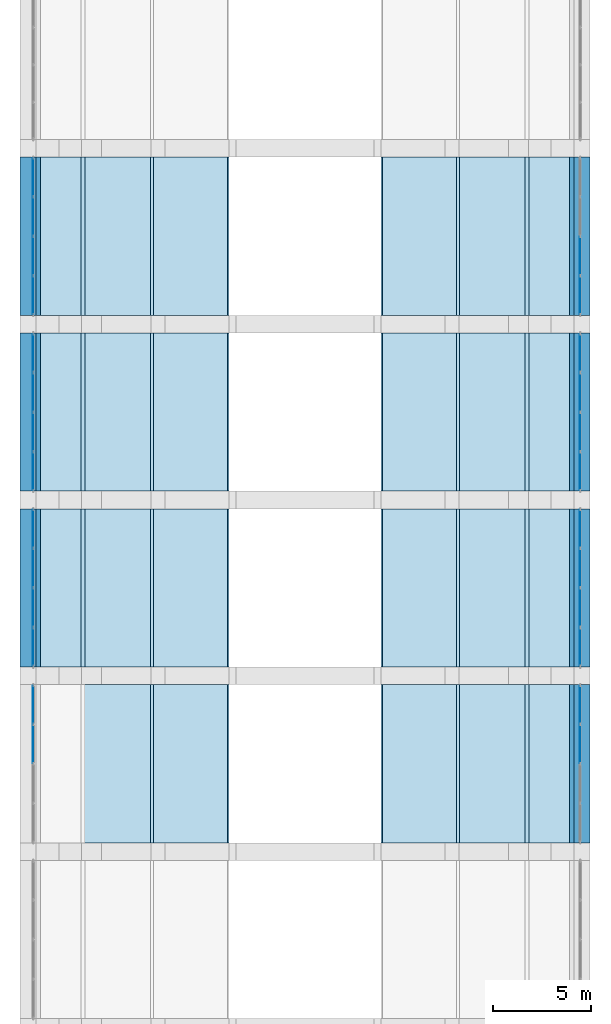
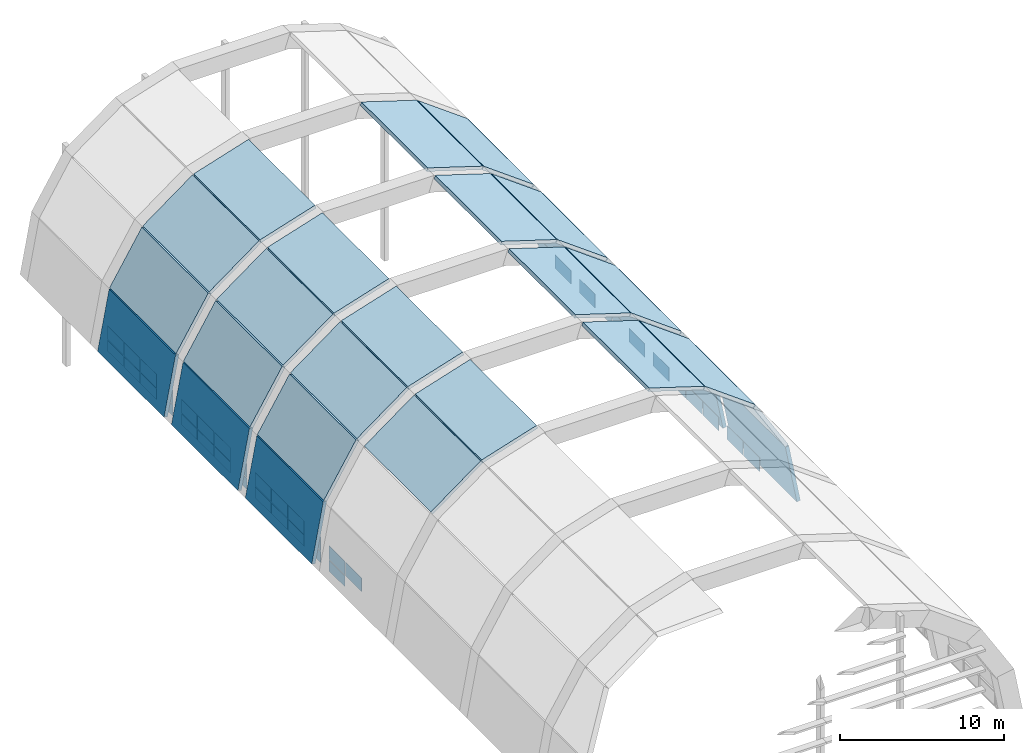
# One storey, part 7 of 8: 39 plates, 30 slabs, 8 elements without a shape of their own.
"""IFC4 building model written with IfcOpenShell, lengths in metres."""

from ifc_helpers import new_model, si_unit, direction, frame, origin, origin_2d, place, context, subcontext, project, spatial, polyline, rectangle, outline, extrude, material, layer, layer_set, type_object, element, aggregate, save


model = new_model("IFC4")

# Units and contexts
model_context = context("Model", 3, precision=1e-05, world=origin(), true_north=direction((0.0, 1.0)))
body_context = subcontext(model_context, "Body", "Model", "MODEL_VIEW")
ifc_project = project(units=[si_unit("LENGTHUNIT", "METRE"), si_unit("AREAUNIT", "SQUARE_METRE"), si_unit("VOLUMEUNIT", "CUBIC_METRE"), si_unit("PLANEANGLEUNIT", "RADIAN"), si_unit("MASSUNIT", "GRAM", prefix="KILO")], contexts=[model_context])

# Site, building, storey
site_placement = place(None, origin())
site = spatial("IfcSite", under=ifc_project, at=site_placement, CompositionType="ELEMENT")
building_placement = place(site_placement, origin())
building = spatial("IfcBuilding", under=site, at=building_placement, Name="Elmora Arch Market Hall", CompositionType="ELEMENT")
storey_placement = place(building_placement, frame((0.0, 0.0, 18.60009765625)))
storey = spatial("IfcBuildingStorey", under=building, at=storey_placement, Name="Roof", CompositionType="ELEMENT", Elevation=18.60009765625)

# Curtain wall, plates
ifc_material_1 = material(Name="Aluminium", Category="aluminium")
curtain_wall_type = type_object("IfcCurtainWallType", Name="Clerestory curtain wall", PredefinedType="NOTDEFINED", material=ifc_material_1)
curtain_wall_1_placement = place(storey_placement, origin())
curtain_wall_1 = element("IfcCurtainWall", 1, at=curtain_wall_1_placement, inside=storey, type_object=curtain_wall_type, Name="Hall clerestory W 4", PredefinedType="NOTDEFINED")
ifc_material_2 = material(Name="Glass", Category="glass")
ifc_layer_1 = layer(ifc_material_2, 0.02392578125)
ifc_layer_set_1 = layer_set([ifc_layer_1], Name="Glass")
plate_type = type_object("IfcPlateType", Name="Glass panel 24", PredefinedType="CURTAIN_PANEL", material=ifc_layer_set_1)
plate_1_placement = place(storey_placement, frame((15.080078125, 59.512451171875, 0.9296875), z_axis=(0.0, 0.0, 1.0), x_axis=(0.0, 1.0, 0.0)))
plate_1 = element("IfcPlate", 2, at=plate_1_placement, type_object=plate_type, Name="CW4 panel 3.2", PredefinedType="CURTAIN_PANEL", context=body_context, shape_type="SweptSolid", body=[
    extrude(rectangle(XDim=1.965087890625, YDim=0.02392578125, at=origin_2d()), origin(), (0.0, 0.0, 1.0), 1.009033203125),
])
plate_2_placement = place(storey_placement, frame((15.080078125, 61.5224609375, 0.059814453125), z_axis=(0.0, 0.0, 1.0), x_axis=(0.0, 1.0, 0.0)))
plate_2 = element("IfcPlate", 3, at=plate_2_placement, type_object=plate_type, Name="CW4 panel 4.1", PredefinedType="CURTAIN_PANEL", context=body_context, shape_type="SweptSolid", body=[
    extrude(rectangle(XDim=1.93505859375, YDim=0.02392578125, at=origin_2d()), origin(), (0.0, 0.0, 1.0), 0.81005859375),
])
plate_3_placement = place(storey_placement, frame((15.080078125, 61.5224609375, 0.9296875), z_axis=(0.0, 0.0, 1.0), x_axis=(0.0, 1.0, 0.0)))
plate_3 = element("IfcPlate", 4, at=plate_3_placement, type_object=plate_type, Name="CW4 panel 4.2", PredefinedType="CURTAIN_PANEL", context=body_context, shape_type="SweptSolid", body=[
    extrude(rectangle(XDim=1.93505859375, YDim=0.02392578125, at=origin_2d()), origin(), (0.0, 0.0, 1.0), 1.009033203125),
])
aggregate(curtain_wall_1, [plate_1, plate_2, plate_3])

curtain_wall_2_placement = place(storey_placement, origin())
curtain_wall_2 = element("IfcCurtainWall", 5, at=curtain_wall_2_placement, inside=storey, type_object=curtain_wall_type, Name="Hall clerestory W 5", PredefinedType="NOTDEFINED")
plate_4_placement = place(storey_placement, frame((15.080078125, 64.4775390625, 0.059814453125), z_axis=(0.0, 0.0, 1.0), x_axis=(0.0, 1.0, 0.0)))
plate_4 = element("IfcPlate", 6, at=plate_4_placement, type_object=plate_type, Name="CW4 panel 1.1", PredefinedType="CURTAIN_PANEL", context=body_context, shape_type="SweptSolid", body=[
    extrude(rectangle(XDim=1.93505859375, YDim=0.02392578125, at=origin_2d()), origin(), (0.0, 0.0, 1.0), 0.81005859375),
])
plate_5_placement = place(storey_placement, frame((15.080078125, 64.4775390625, 0.9296875), z_axis=(0.0, 0.0, 1.0), x_axis=(0.0, 1.0, 0.0)))
plate_5 = element("IfcPlate", 7, at=plate_5_placement, type_object=plate_type, Name="CW4 panel 1.2", PredefinedType="CURTAIN_PANEL", context=body_context, shape_type="SweptSolid", body=[
    extrude(rectangle(XDim=1.93505859375, YDim=0.02392578125, at=origin_2d()), origin(), (0.0, 0.0, 1.0), 1.009033203125),
])
plate_6_placement = place(storey_placement, frame((15.080078125, 66.487548828125, 0.059814453125), z_axis=(0.0, 0.0, 1.0), x_axis=(0.0, 1.0, 0.0)))
plate_6 = element("IfcPlate", 8, at=plate_6_placement, type_object=plate_type, Name="CW4 panel 2.1", PredefinedType="CURTAIN_PANEL", context=body_context, shape_type="SweptSolid", body=[
    extrude(rectangle(XDim=1.965087890625, YDim=0.02392578125, at=origin_2d()), origin(), (0.0, 0.0, 1.0), 0.81005859375),
])
plate_7_placement = place(storey_placement, frame((15.080078125, 66.487548828125, 0.9296875), z_axis=(0.0, 0.0, 1.0), x_axis=(0.0, 1.0, 0.0)))
plate_7 = element("IfcPlate", 9, at=plate_7_placement, type_object=plate_type, Name="CW4 panel 2.2", PredefinedType="CURTAIN_PANEL", context=body_context, shape_type="SweptSolid", body=[
    extrude(rectangle(XDim=1.965087890625, YDim=0.02392578125, at=origin_2d()), origin(), (0.0, 0.0, 1.0), 1.009033203125),
])
plate_8_placement = place(storey_placement, frame((15.080078125, 68.512451171875, 0.059814453125), z_axis=(0.0, 0.0, 1.0), x_axis=(0.0, 1.0, 0.0)))
plate_8 = element("IfcPlate", 10, at=plate_8_placement, type_object=plate_type, Name="CW4 panel 3.1", PredefinedType="CURTAIN_PANEL", context=body_context, shape_type="SweptSolid", body=[
    extrude(rectangle(XDim=1.965087890625, YDim=0.02392578125, at=origin_2d()), origin(), (0.0, 0.0, 1.0), 0.81005859375),
])
plate_9_placement = place(storey_placement, frame((15.080078125, 68.512451171875, 0.9296875), z_axis=(0.0, 0.0, 1.0), x_axis=(0.0, 1.0, 0.0)))
plate_9 = element("IfcPlate", 11, at=plate_9_placement, type_object=plate_type, Name="CW4 panel 3.2", PredefinedType="CURTAIN_PANEL", context=body_context, shape_type="SweptSolid", body=[
    extrude(rectangle(XDim=1.965087890625, YDim=0.02392578125, at=origin_2d()), origin(), (0.0, 0.0, 1.0), 1.009033203125),
])
plate_10_placement = place(storey_placement, frame((15.080078125, 70.5224609375, 0.059814453125), z_axis=(0.0, 0.0, 1.0), x_axis=(0.0, 1.0, 0.0)))
plate_10 = element("IfcPlate", 12, at=plate_10_placement, type_object=plate_type, Name="CW4 panel 4.1", PredefinedType="CURTAIN_PANEL", context=body_context, shape_type="SweptSolid", body=[
    extrude(rectangle(XDim=1.93505859375, YDim=0.02392578125, at=origin_2d()), origin(), (0.0, 0.0, 1.0), 0.81005859375),
])
plate_11_placement = place(storey_placement, frame((15.080078125, 70.5224609375, 0.9296875), z_axis=(0.0, 0.0, 1.0), x_axis=(0.0, 1.0, 0.0)))
plate_11 = element("IfcPlate", 13, at=plate_11_placement, type_object=plate_type, Name="CW4 panel 4.2", PredefinedType="CURTAIN_PANEL", context=body_context, shape_type="SweptSolid", body=[
    extrude(rectangle(XDim=1.93505859375, YDim=0.02392578125, at=origin_2d()), origin(), (0.0, 0.0, 1.0), 1.009033203125),
])
aggregate(curtain_wall_2, [plate_4, plate_5, plate_6, plate_7, plate_8, plate_9, plate_10, plate_11])

curtain_wall_3_placement = place(storey_placement, origin())
curtain_wall_3 = element("IfcCurtainWall", 14, at=curtain_wall_3_placement, inside=storey, type_object=curtain_wall_type, Name="Hall clerestory W 6", PredefinedType="NOTDEFINED")
plate_12_placement = place(storey_placement, frame((15.080078125, 73.4775390625, 0.059814453125), z_axis=(0.0, 0.0, 1.0), x_axis=(0.0, 1.0, 0.0)))
plate_12 = element("IfcPlate", 15, at=plate_12_placement, type_object=plate_type, Name="CW4 panel 1.1", PredefinedType="CURTAIN_PANEL", context=body_context, shape_type="SweptSolid", body=[
    extrude(rectangle(XDim=1.93505859375, YDim=0.02392578125, at=origin_2d()), origin(), (0.0, 0.0, 1.0), 0.81005859375),
])
plate_13_placement = place(storey_placement, frame((15.080078125, 73.4775390625, 0.9296875), z_axis=(0.0, 0.0, 1.0), x_axis=(0.0, 1.0, 0.0)))
plate_13 = element("IfcPlate", 16, at=plate_13_placement, type_object=plate_type, Name="CW4 panel 1.2", PredefinedType="CURTAIN_PANEL", context=body_context, shape_type="SweptSolid", body=[
    extrude(rectangle(XDim=1.93505859375, YDim=0.02392578125, at=origin_2d()), origin(), (0.0, 0.0, 1.0), 1.009033203125),
])
plate_14_placement = place(storey_placement, frame((15.080078125, 75.487548828125, 0.059814453125), z_axis=(0.0, 0.0, 1.0), x_axis=(0.0, 1.0, 0.0)))
plate_14 = element("IfcPlate", 17, at=plate_14_placement, type_object=plate_type, Name="CW4 panel 2.1", PredefinedType="CURTAIN_PANEL", context=body_context, shape_type="SweptSolid", body=[
    extrude(rectangle(XDim=1.965087890625, YDim=0.02392578125, at=origin_2d()), origin(), (0.0, 0.0, 1.0), 0.81005859375),
])
plate_15_placement = place(storey_placement, frame((15.080078125, 75.487548828125, 0.9296875), z_axis=(0.0, 0.0, 1.0), x_axis=(0.0, 1.0, 0.0)))
plate_15 = element("IfcPlate", 18, at=plate_15_placement, type_object=plate_type, Name="CW4 panel 2.2", PredefinedType="CURTAIN_PANEL", context=body_context, shape_type="SweptSolid", body=[
    extrude(rectangle(XDim=1.965087890625, YDim=0.02392578125, at=origin_2d()), origin(), (0.0, 0.0, 1.0), 1.009033203125),
])
plate_16_placement = place(storey_placement, frame((15.080078125, 77.512451171875, 0.059814453125), z_axis=(0.0, 0.0, 1.0), x_axis=(0.0, 1.0, 0.0)))
plate_16 = element("IfcPlate", 19, at=plate_16_placement, type_object=plate_type, Name="CW4 panel 3.1", PredefinedType="CURTAIN_PANEL", context=body_context, shape_type="SweptSolid", body=[
    extrude(rectangle(XDim=1.965087890625, YDim=0.02392578125, at=origin_2d()), origin(), (0.0, 0.0, 1.0), 0.81005859375),
])
plate_17_placement = place(storey_placement, frame((15.080078125, 77.512451171875, 0.9296875), z_axis=(0.0, 0.0, 1.0), x_axis=(0.0, 1.0, 0.0)))
plate_17 = element("IfcPlate", 20, at=plate_17_placement, type_object=plate_type, Name="CW4 panel 3.2", PredefinedType="CURTAIN_PANEL", context=body_context, shape_type="SweptSolid", body=[
    extrude(rectangle(XDim=1.965087890625, YDim=0.02392578125, at=origin_2d()), origin(), (0.0, 0.0, 1.0), 1.009033203125),
])
plate_18_placement = place(storey_placement, frame((15.080078125, 79.5224609375, 0.059814453125), z_axis=(0.0, 0.0, 1.0), x_axis=(0.0, 1.0, 0.0)))
plate_18 = element("IfcPlate", 21, at=plate_18_placement, type_object=plate_type, Name="CW4 panel 4.1", PredefinedType="CURTAIN_PANEL", context=body_context, shape_type="SweptSolid", body=[
    extrude(rectangle(XDim=1.93505859375, YDim=0.02392578125, at=origin_2d()), origin(), (0.0, 0.0, 1.0), 0.81005859375),
])
plate_19_placement = place(storey_placement, frame((15.080078125, 79.5224609375, 0.9296875), z_axis=(0.0, 0.0, 1.0), x_axis=(0.0, 1.0, 0.0)))
plate_19 = element("IfcPlate", 22, at=plate_19_placement, type_object=plate_type, Name="CW4 panel 4.2", PredefinedType="CURTAIN_PANEL", context=body_context, shape_type="SweptSolid", body=[
    extrude(rectangle(XDim=1.93505859375, YDim=0.02392578125, at=origin_2d()), origin(), (0.0, 0.0, 1.0), 1.009033203125),
])
aggregate(curtain_wall_3, [plate_12, plate_13, plate_14, plate_15, plate_16, plate_17, plate_18, plate_19])

curtain_wall_4_placement = place(storey_placement, origin())
curtain_wall_4 = element("IfcCurtainWall", 23, at=curtain_wall_4_placement, inside=storey, type_object=curtain_wall_type, Name="Hall clerestory W 7", PredefinedType="NOTDEFINED")
plate_20_placement = place(storey_placement, frame((15.080078125, 82.4775390625, 0.059814453125), z_axis=(0.0, 0.0, 1.0), x_axis=(0.0, 1.0, 0.0)))
plate_20 = element("IfcPlate", 24, at=plate_20_placement, type_object=plate_type, Name="CW4 panel 1.1", PredefinedType="CURTAIN_PANEL", context=body_context, shape_type="SweptSolid", body=[
    extrude(rectangle(XDim=1.93505859375, YDim=0.02392578125, at=origin_2d()), origin(), (0.0, 0.0, 1.0), 0.81005859375),
])
plate_21_placement = place(storey_placement, frame((15.080078125, 82.4775390625, 0.9296875), z_axis=(0.0, 0.0, 1.0), x_axis=(0.0, 1.0, 0.0)))
plate_21 = element("IfcPlate", 25, at=plate_21_placement, type_object=plate_type, Name="CW4 panel 1.2", PredefinedType="CURTAIN_PANEL", context=body_context, shape_type="SweptSolid", body=[
    extrude(rectangle(XDim=1.93505859375, YDim=0.02392578125, at=origin_2d()), origin(), (0.0, 0.0, 1.0), 1.009033203125),
])
plate_22_placement = place(storey_placement, frame((15.080078125, 84.487548828125, 0.059814453125), z_axis=(0.0, 0.0, 1.0), x_axis=(0.0, 1.0, 0.0)))
plate_22 = element("IfcPlate", 26, at=plate_22_placement, type_object=plate_type, Name="CW4 panel 2.1", PredefinedType="CURTAIN_PANEL", context=body_context, shape_type="SweptSolid", body=[
    extrude(rectangle(XDim=1.965087890625, YDim=0.02392578125, at=origin_2d()), origin(), (0.0, 0.0, 1.0), 0.81005859375),
])
plate_23_placement = place(storey_placement, frame((15.080078125, 84.487548828125, 0.9296875), z_axis=(0.0, 0.0, 1.0), x_axis=(0.0, 1.0, 0.0)))
plate_23 = element("IfcPlate", 27, at=plate_23_placement, type_object=plate_type, Name="CW4 panel 2.2", PredefinedType="CURTAIN_PANEL", context=body_context, shape_type="SweptSolid", body=[
    extrude(rectangle(XDim=1.965087890625, YDim=0.02392578125, at=origin_2d()), origin(), (0.0, 0.0, 1.0), 1.009033203125),
])
plate_24_placement = place(storey_placement, frame((15.080078125, 86.512451171875, 0.059814453125), z_axis=(0.0, 0.0, 1.0), x_axis=(0.0, 1.0, 0.0)))
plate_24 = element("IfcPlate", 28, at=plate_24_placement, type_object=plate_type, Name="CW4 panel 3.1", PredefinedType="CURTAIN_PANEL", context=body_context, shape_type="SweptSolid", body=[
    extrude(rectangle(XDim=1.965087890625, YDim=0.02392578125, at=origin_2d()), origin(), (0.0, 0.0, 1.0), 0.81005859375),
])
plate_25_placement = place(storey_placement, frame((15.080078125, 86.512451171875, 0.9296875), z_axis=(0.0, 0.0, 1.0), x_axis=(0.0, 1.0, 0.0)))
plate_25 = element("IfcPlate", 29, at=plate_25_placement, type_object=plate_type, Name="CW4 panel 3.2", PredefinedType="CURTAIN_PANEL", context=body_context, shape_type="SweptSolid", body=[
    extrude(rectangle(XDim=1.965087890625, YDim=0.02392578125, at=origin_2d()), origin(), (0.0, 0.0, 1.0), 1.009033203125),
])
plate_26_placement = place(storey_placement, frame((15.080078125, 88.5224609375, 0.059814453125), z_axis=(0.0, 0.0, 1.0), x_axis=(0.0, 1.0, 0.0)))
plate_26 = element("IfcPlate", 30, at=plate_26_placement, type_object=plate_type, Name="CW4 panel 4.1", PredefinedType="CURTAIN_PANEL", context=body_context, shape_type="SweptSolid", body=[
    extrude(rectangle(XDim=1.93505859375, YDim=0.02392578125, at=origin_2d()), origin(), (0.0, 0.0, 1.0), 0.81005859375),
])
plate_27_placement = place(storey_placement, frame((15.080078125, 88.5224609375, 0.9296875), z_axis=(0.0, 0.0, 1.0), x_axis=(0.0, 1.0, 0.0)))
plate_27 = element("IfcPlate", 31, at=plate_27_placement, type_object=plate_type, Name="CW4 panel 4.2", PredefinedType="CURTAIN_PANEL", context=body_context, shape_type="SweptSolid", body=[
    extrude(rectangle(XDim=1.93505859375, YDim=0.02392578125, at=origin_2d()), origin(), (0.0, 0.0, 1.0), 1.009033203125),
])
aggregate(curtain_wall_4, [plate_20, plate_21, plate_22, plate_23, plate_24, plate_25, plate_26, plate_27])

curtain_wall_5_placement = place(storey_placement, origin())
curtain_wall_5 = element("IfcCurtainWall", 32, at=curtain_wall_5_placement, inside=storey, type_object=curtain_wall_type, Name="Hall clerestory E 4", PredefinedType="NOTDEFINED")
plate_28_placement = place(storey_placement, frame((43.080078125, 59.512451171875, 0.059814453125), z_axis=(0.0, 0.0, 1.0), x_axis=(0.0, 1.0, 0.0)))
plate_28 = element("IfcPlate", 33, at=plate_28_placement, type_object=plate_type, Name="CW4 panel 3.1", PredefinedType="CURTAIN_PANEL", context=body_context, shape_type="SweptSolid", body=[
    extrude(rectangle(XDim=1.965087890625, YDim=0.02392578125, at=origin_2d()), origin(), (0.0, 0.0, 1.0), 1.02099609375),
])
plate_29_placement = place(storey_placement, frame((43.080078125, 61.5224609375, 0.059814453125), z_axis=(0.0, 0.0, 1.0), x_axis=(0.0, 1.0, 0.0)))
plate_29 = element("IfcPlate", 34, at=plate_29_placement, type_object=plate_type, Name="CW4 panel 4.1", PredefinedType="CURTAIN_PANEL", context=body_context, shape_type="SweptSolid", body=[
    extrude(rectangle(XDim=1.93505859375, YDim=0.02392578125, at=origin_2d()), origin(), (0.0, 0.0, 1.0), 1.02099609375),
])
aggregate(curtain_wall_5, [plate_28, plate_29])

curtain_wall_6_placement = place(storey_placement, origin())
curtain_wall_6 = element("IfcCurtainWall", 35, at=curtain_wall_6_placement, inside=storey, type_object=curtain_wall_type, Name="Hall clerestory E 5", PredefinedType="NOTDEFINED")
plate_30_placement = place(storey_placement, frame((43.080078125, 64.4775390625, 0.059814453125), z_axis=(0.0, 0.0, 1.0), x_axis=(0.0, 1.0, 0.0)))
plate_30 = element("IfcPlate", 36, at=plate_30_placement, type_object=plate_type, Name="CW4 panel 1.1", PredefinedType="CURTAIN_PANEL", context=body_context, shape_type="SweptSolid", body=[
    extrude(rectangle(XDim=1.93505859375, YDim=0.02392578125, at=origin_2d()), origin(), (0.0, 0.0, 1.0), 1.02099609375),
])
plate_31_placement = place(storey_placement, frame((43.080078125, 66.487548828125, 0.059814453125), z_axis=(0.0, 0.0, 1.0), x_axis=(0.0, 1.0, 0.0)))
plate_31 = element("IfcPlate", 37, at=plate_31_placement, type_object=plate_type, Name="CW4 panel 2.1", PredefinedType="CURTAIN_PANEL", context=body_context, shape_type="SweptSolid", body=[
    extrude(rectangle(XDim=1.965087890625, YDim=0.02392578125, at=origin_2d()), origin(), (0.0, 0.0, 1.0), 1.02099609375),
])
plate_32_placement = place(storey_placement, frame((43.080078125, 68.512451171875, 0.059814453125), z_axis=(0.0, 0.0, 1.0), x_axis=(0.0, 1.0, 0.0)))
plate_32 = element("IfcPlate", 38, at=plate_32_placement, type_object=plate_type, Name="CW4 panel 3.1", PredefinedType="CURTAIN_PANEL", context=body_context, shape_type="SweptSolid", body=[
    extrude(rectangle(XDim=1.965087890625, YDim=0.02392578125, at=origin_2d()), origin(), (0.0, 0.0, 1.0), 1.02099609375),
])
plate_33_placement = place(storey_placement, frame((43.080078125, 70.5224609375, 0.059814453125), z_axis=(0.0, 0.0, 1.0), x_axis=(0.0, 1.0, 0.0)))
plate_33 = element("IfcPlate", 39, at=plate_33_placement, type_object=plate_type, Name="CW4 panel 4.1", PredefinedType="CURTAIN_PANEL", context=body_context, shape_type="SweptSolid", body=[
    extrude(rectangle(XDim=1.93505859375, YDim=0.02392578125, at=origin_2d()), origin(), (0.0, 0.0, 1.0), 1.02099609375),
])
aggregate(curtain_wall_6, [plate_30, plate_31, plate_32, plate_33])

curtain_wall_7_placement = place(storey_placement, origin())
curtain_wall_7 = element("IfcCurtainWall", 40, at=curtain_wall_7_placement, inside=storey, type_object=curtain_wall_type, Name="Hall clerestory E 6", PredefinedType="NOTDEFINED")
plate_34_placement = place(storey_placement, frame((43.080078125, 73.4775390625, 0.059814453125), z_axis=(0.0, 0.0, 1.0), x_axis=(0.0, 1.0, 0.0)))
plate_34 = element("IfcPlate", 41, at=plate_34_placement, type_object=plate_type, Name="CW4 panel 1.1", PredefinedType="CURTAIN_PANEL", context=body_context, shape_type="SweptSolid", body=[
    extrude(rectangle(XDim=1.93505859375, YDim=0.02392578125, at=origin_2d()), origin(), (0.0, 0.0, 1.0), 1.02099609375),
])
plate_35_placement = place(storey_placement, frame((43.080078125, 75.487548828125, 0.059814453125), z_axis=(0.0, 0.0, 1.0), x_axis=(0.0, 1.0, 0.0)))
plate_35 = element("IfcPlate", 42, at=plate_35_placement, type_object=plate_type, Name="CW4 panel 2.1", PredefinedType="CURTAIN_PANEL", context=body_context, shape_type="SweptSolid", body=[
    extrude(rectangle(XDim=1.965087890625, YDim=0.02392578125, at=origin_2d()), origin(), (0.0, 0.0, 1.0), 1.02099609375),
])
plate_36_placement = place(storey_placement, frame((43.080078125, 77.512451171875, 0.059814453125), z_axis=(0.0, 0.0, 1.0), x_axis=(0.0, 1.0, 0.0)))
plate_36 = element("IfcPlate", 43, at=plate_36_placement, type_object=plate_type, Name="CW4 panel 3.1", PredefinedType="CURTAIN_PANEL", context=body_context, shape_type="SweptSolid", body=[
    extrude(rectangle(XDim=1.965087890625, YDim=0.02392578125, at=origin_2d()), origin(), (0.0, 0.0, 1.0), 1.02099609375),
])
plate_37_placement = place(storey_placement, frame((43.080078125, 79.5224609375, 0.059814453125), z_axis=(0.0, 0.0, 1.0), x_axis=(0.0, 1.0, 0.0)))
plate_37 = element("IfcPlate", 44, at=plate_37_placement, type_object=plate_type, Name="CW4 panel 4.1", PredefinedType="CURTAIN_PANEL", context=body_context, shape_type="SweptSolid", body=[
    extrude(rectangle(XDim=1.93505859375, YDim=0.02392578125, at=origin_2d()), origin(), (0.0, 0.0, 1.0), 1.02099609375),
])
aggregate(curtain_wall_7, [plate_34, plate_35, plate_36, plate_37])

curtain_wall_8_placement = place(storey_placement, origin())
curtain_wall_8 = element("IfcCurtainWall", 45, at=curtain_wall_8_placement, inside=storey, type_object=curtain_wall_type, Name="Hall clerestory E 7", PredefinedType="NOTDEFINED")
plate_38_placement = place(storey_placement, frame((43.080078125, 82.4775390625, 0.059814453125), z_axis=(0.0, 0.0, 1.0), x_axis=(0.0, 1.0, 0.0)))
plate_38 = element("IfcPlate", 46, at=plate_38_placement, type_object=plate_type, Name="CW4 panel 1.1", PredefinedType="CURTAIN_PANEL", context=body_context, shape_type="SweptSolid", body=[
    extrude(rectangle(XDim=1.93505859375, YDim=0.02392578125, at=origin_2d()), origin(), (0.0, 0.0, 1.0), 1.02099609375),
])
plate_39_placement = place(storey_placement, frame((43.080078125, 84.487548828125, 0.059814453125), z_axis=(0.0, 0.0, 1.0), x_axis=(0.0, 1.0, 0.0)))
plate_39 = element("IfcPlate", 47, at=plate_39_placement, type_object=plate_type, Name="CW4 panel 2.1", PredefinedType="CURTAIN_PANEL", context=body_context, shape_type="SweptSolid", body=[
    extrude(rectangle(XDim=1.965087890625, YDim=0.02392578125, at=origin_2d()), origin(), (0.0, 0.0, 1.0), 1.02099609375),
])
aggregate(curtain_wall_8, [plate_38, plate_39])

# Slabs
ifc_material_3 = material(Name="Concrete C40/50", Category="concrete")
ifc_layer_2 = layer(ifc_material_3, 0.25)
ifc_layer_set_2 = layer_set([ifc_layer_2], Name="Concrete C40/50")
slab_type = type_object("IfcSlabType", Name="Hall roof panel", PredefinedType="ROOF", material=ifc_layer_set_2)
slab_1_placement = place(storey_placement, frame((17.589111328125, 54.449951171875, 8.442626953125), z_axis=(-0.59236150089, 0.0, 0.805672298309), x_axis=(0.0, 1.0, 0.0)))
element("IfcSlab", 48, at=slab_1_placement, inside=storey, type_object=slab_type, Name="Roof panel 4 W3", PredefinedType="ROOF", context=body_context, shape_type="SweptSolid", body=[
    extrude(outline(polyline([(0.0, 0.0), (8.10009765625, 0.0), (8.10009765625, -4.346925261019755), (0.0, -4.346925261019755), (0.0, 0.0)])), origin(), (0.0, 0.0, -1.0), 0.25),
])
for number, where, z_axis, x_axis, name in (
    (49, (21.1640625, 54.449951171875, 11.0546875), (-0.301111204758, 0.0, 0.953589032219), (0.0, 1.0, 0.0), "Roof panel 4 W4"),
    (50, (32.9677734375, 54.449951171875, 12.276123046875), (0.301111204758, 0.0, 0.953589032219), (0.0, 1.0, 0.0), "Roof panel 4 E4"),
):
    element("IfcSlab", number, at=place(storey_placement, frame(where, z_axis=z_axis, x_axis=x_axis)), inside=storey, type_object=slab_type, Name=name, PredefinedType="ROOF", context=body_context, shape_type="SweptSolid", body=[
        extrude(outline(polyline([(0.0, 0.0), (8.10009765625, 0.0), (8.10009765625, -4.0564267538791245), (0.0, -4.0564267538791245), (0.0, 0.0)])), origin(), (0.0, 0.0, -1.0), 0.25),
    ])
slab_2_placement = place(storey_placement, frame((36.90869140625, 54.449951171875, 11.017578125), z_axis=(0.59236150089, 0.0, 0.805672298309), x_axis=(0.0, 1.0, 0.0)))
element("IfcSlab", 51, at=slab_2_placement, inside=storey, type_object=slab_type, Name="Roof panel 4 E3", PredefinedType="ROOF", context=body_context, shape_type="SweptSolid", body=[
    extrude(outline(polyline([(0.0, 0.0), (8.10009765625, 0.0), (8.10009765625, -4.346925261019755), (0.0, -4.346925261019755), (0.0, 0.0)])), origin(), (0.0, 0.0, -1.0), 0.25),
])
slab_3_placement = place(storey_placement, frame((40.47607421875, 54.449951171875, 8.37158203125), z_axis=(0.853287379882, 0.0, 0.521440933696), x_axis=(0.0, 1.0, 0.0)))
element("IfcSlab", 52, at=slab_3_placement, inside=storey, type_object=slab_type, Name="Roof panel 4 E2", PredefinedType="ROOF", context=body_context, shape_type="SweptSolid", body=[
    extrude(outline(polyline([(0.0, 0.0), (8.10009765625, 0.0), (8.10009765625, -4.35242249570463), (0.0, -4.35242249570463), (0.0, 0.0)])), origin(), (0.0, 0.0, -1.0), 0.25),
])
for number, where, z_axis, x_axis, name in (
    (53, (42.778076171875, 54.449951171875, 4.5732421875), (0.983054574067, 0.0, 0.183313132117), (0.0, 1.0, 0.0), "Roof panel 4 E1"),
    (54, (14.41015625, 63.449951171875, 0.219970703125), (-0.983054574067, 0.0, 0.183313132117), (0.0, 1.0, 0.0), "Roof panel 5 W1"),
):
    element("IfcSlab", number, at=place(storey_placement, frame(where, z_axis=z_axis, x_axis=x_axis)), inside=storey, type_object=slab_type, Name=name, PredefinedType="ROOF", context=body_context, shape_type="SweptSolid", body=[
        extrude(outline(polyline([(0.0, 0.0), (8.10009765625, 0.0), (8.10009765625, -4.428311102166089), (0.0, -4.428311102166089), (0.0, 0.0)])), origin(), (0.0, 0.0, -1.0), 0.25),
    ])
slab_4_placement = place(storey_placement, frame((15.25439453125, 63.449951171875, 4.65771484375), z_axis=(-0.853287379882, 0.0, 0.521440933696), x_axis=(0.0, 1.0, 0.0)))
element("IfcSlab", 55, at=slab_4_placement, inside=storey, type_object=slab_type, Name="Roof panel 5 W2", PredefinedType="ROOF", context=body_context, shape_type="SweptSolid", body=[
    extrude(outline(polyline([(0.0, 0.0), (8.10009765625, 0.0), (8.10009765625, -4.35242249570463), (0.0, -4.35242249570463), (0.0, 0.0)])), origin(), (0.0, 0.0, -1.0), 0.25),
])
slab_5_placement = place(storey_placement, frame((17.589111328125, 63.449951171875, 8.442626953125), z_axis=(-0.59236150089, 0.0, 0.805672298309), x_axis=(0.0, 1.0, 0.0)))
element("IfcSlab", 56, at=slab_5_placement, inside=storey, type_object=slab_type, Name="Roof panel 5 W3", PredefinedType="ROOF", context=body_context, shape_type="SweptSolid", body=[
    extrude(outline(polyline([(0.0, 0.0), (8.10009765625, 0.0), (8.10009765625, -4.346925261019755), (0.0, -4.346925261019755), (0.0, 0.0)])), origin(), (0.0, 0.0, -1.0), 0.25),
])
for number, where, z_axis, x_axis, name in (
    (57, (21.1640625, 63.449951171875, 11.0546875), (-0.301111204758, 0.0, 0.953589032219), (0.0, 1.0, 0.0), "Roof panel 5 W4"),
    (58, (32.9677734375, 63.449951171875, 12.276123046875), (0.301111204758, 0.0, 0.953589032219), (0.0, 1.0, 0.0), "Roof panel 5 E4"),
):
    element("IfcSlab", number, at=place(storey_placement, frame(where, z_axis=z_axis, x_axis=x_axis)), inside=storey, type_object=slab_type, Name=name, PredefinedType="ROOF", context=body_context, shape_type="SweptSolid", body=[
        extrude(outline(polyline([(0.0, 0.0), (8.10009765625, 0.0), (8.10009765625, -4.0564267538791245), (0.0, -4.0564267538791245), (0.0, 0.0)])), origin(), (0.0, 0.0, -1.0), 0.25),
    ])
slab_6_placement = place(storey_placement, frame((36.90869140625, 63.449951171875, 11.017578125), z_axis=(0.59236150089, 0.0, 0.805672298309), x_axis=(0.0, 1.0, 0.0)))
element("IfcSlab", 59, at=slab_6_placement, inside=storey, type_object=slab_type, Name="Roof panel 5 E3", PredefinedType="ROOF", context=body_context, shape_type="SweptSolid", body=[
    extrude(outline(polyline([(0.0, 0.0), (8.10009765625, 0.0), (8.10009765625, -4.346925261019755), (0.0, -4.346925261019755), (0.0, 0.0)])), origin(), (0.0, 0.0, -1.0), 0.25),
])
slab_7_placement = place(storey_placement, frame((40.47607421875, 63.449951171875, 8.37158203125), z_axis=(0.853287379882, 0.0, 0.521440933696), x_axis=(0.0, 1.0, 0.0)))
element("IfcSlab", 60, at=slab_7_placement, inside=storey, type_object=slab_type, Name="Roof panel 5 E2", PredefinedType="ROOF", context=body_context, shape_type="SweptSolid", body=[
    extrude(outline(polyline([(0.0, 0.0), (8.10009765625, 0.0), (8.10009765625, -4.35242249570463), (0.0, -4.35242249570463), (0.0, 0.0)])), origin(), (0.0, 0.0, -1.0), 0.25),
])
for number, where, z_axis, x_axis, name in (
    (61, (42.778076171875, 63.449951171875, 4.5732421875), (0.983054574067, 0.0, 0.183313132117), (0.0, 1.0, 0.0), "Roof panel 5 E1"),
    (62, (14.41015625, 72.449951171875, 0.219970703125), (-0.983054574067, 0.0, 0.183313132117), (0.0, 1.0, 0.0), "Roof panel 6 W1"),
):
    element("IfcSlab", number, at=place(storey_placement, frame(where, z_axis=z_axis, x_axis=x_axis)), inside=storey, type_object=slab_type, Name=name, PredefinedType="ROOF", context=body_context, shape_type="SweptSolid", body=[
        extrude(outline(polyline([(0.0, 0.0), (8.10009765625, 0.0), (8.10009765625, -4.428311102166089), (0.0, -4.428311102166089), (0.0, 0.0)])), origin(), (0.0, 0.0, -1.0), 0.25),
    ])
slab_8_placement = place(storey_placement, frame((15.25439453125, 72.449951171875, 4.65771484375), z_axis=(-0.853287379882, 0.0, 0.521440933696), x_axis=(0.0, 1.0, 0.0)))
element("IfcSlab", 63, at=slab_8_placement, inside=storey, type_object=slab_type, Name="Roof panel 6 W2", PredefinedType="ROOF", context=body_context, shape_type="SweptSolid", body=[
    extrude(outline(polyline([(0.0, 0.0), (8.10009765625, 0.0), (8.10009765625, -4.35242249570463), (0.0, -4.35242249570463), (0.0, 0.0)])), origin(), (0.0, 0.0, -1.0), 0.25),
])
slab_9_placement = place(storey_placement, frame((17.589111328125, 72.449951171875, 8.442626953125), z_axis=(-0.59236150089, 0.0, 0.805672298309), x_axis=(0.0, 1.0, 0.0)))
element("IfcSlab", 64, at=slab_9_placement, inside=storey, type_object=slab_type, Name="Roof panel 6 W3", PredefinedType="ROOF", context=body_context, shape_type="SweptSolid", body=[
    extrude(outline(polyline([(0.0, 0.0), (8.10009765625, 0.0), (8.10009765625, -4.346925261019755), (0.0, -4.346925261019755), (0.0, 0.0)])), origin(), (0.0, 0.0, -1.0), 0.25),
])
for number, where, z_axis, x_axis, name in (
    (65, (21.1640625, 72.449951171875, 11.0546875), (-0.301111204758, 0.0, 0.953589032219), (0.0, 1.0, 0.0), "Roof panel 6 W4"),
    (66, (32.9677734375, 72.449951171875, 12.276123046875), (0.301111204758, 0.0, 0.953589032219), (0.0, 1.0, 0.0), "Roof panel 6 E4"),
):
    element("IfcSlab", number, at=place(storey_placement, frame(where, z_axis=z_axis, x_axis=x_axis)), inside=storey, type_object=slab_type, Name=name, PredefinedType="ROOF", context=body_context, shape_type="SweptSolid", body=[
        extrude(outline(polyline([(0.0, 0.0), (8.10009765625, 0.0), (8.10009765625, -4.0564267538791245), (0.0, -4.0564267538791245), (0.0, 0.0)])), origin(), (0.0, 0.0, -1.0), 0.25),
    ])
slab_10_placement = place(storey_placement, frame((36.90869140625, 72.449951171875, 11.017578125), z_axis=(0.59236150089, 0.0, 0.805672298309), x_axis=(0.0, 1.0, 0.0)))
element("IfcSlab", 67, at=slab_10_placement, inside=storey, type_object=slab_type, Name="Roof panel 6 E3", PredefinedType="ROOF", context=body_context, shape_type="SweptSolid", body=[
    extrude(outline(polyline([(0.0, 0.0), (8.10009765625, 0.0), (8.10009765625, -4.346925261019755), (0.0, -4.346925261019755), (0.0, 0.0)])), origin(), (0.0, 0.0, -1.0), 0.25),
])
slab_11_placement = place(storey_placement, frame((40.47607421875, 72.449951171875, 8.37158203125), z_axis=(0.853287379882, 0.0, 0.521440933696), x_axis=(0.0, 1.0, 0.0)))
element("IfcSlab", 68, at=slab_11_placement, inside=storey, type_object=slab_type, Name="Roof panel 6 E2", PredefinedType="ROOF", context=body_context, shape_type="SweptSolid", body=[
    extrude(outline(polyline([(0.0, 0.0), (8.10009765625, 0.0), (8.10009765625, -4.35242249570463), (0.0, -4.35242249570463), (0.0, 0.0)])), origin(), (0.0, 0.0, -1.0), 0.25),
])
for number, where, z_axis, x_axis, name in (
    (69, (42.778076171875, 72.449951171875, 4.5732421875), (0.983054574067, 0.0, 0.183313132117), (0.0, 1.0, 0.0), "Roof panel 6 E1"),
    (70, (14.41015625, 81.449951171875, 0.219970703125), (-0.983054574067, 0.0, 0.183313132117), (0.0, 1.0, 0.0), "Roof panel 7 W1"),
):
    element("IfcSlab", number, at=place(storey_placement, frame(where, z_axis=z_axis, x_axis=x_axis)), inside=storey, type_object=slab_type, Name=name, PredefinedType="ROOF", context=body_context, shape_type="SweptSolid", body=[
        extrude(outline(polyline([(0.0, 0.0), (8.10009765625, 0.0), (8.10009765625, -4.428311102166089), (0.0, -4.428311102166089), (0.0, 0.0)])), origin(), (0.0, 0.0, -1.0), 0.25),
    ])
slab_12_placement = place(storey_placement, frame((15.25439453125, 81.449951171875, 4.65771484375), z_axis=(-0.853287379882, 0.0, 0.521440933696), x_axis=(0.0, 1.0, 0.0)))
element("IfcSlab", 71, at=slab_12_placement, inside=storey, type_object=slab_type, Name="Roof panel 7 W2", PredefinedType="ROOF", context=body_context, shape_type="SweptSolid", body=[
    extrude(outline(polyline([(0.0, 0.0), (8.10009765625, 0.0), (8.10009765625, -4.35242249570463), (0.0, -4.35242249570463), (0.0, 0.0)])), origin(), (0.0, 0.0, -1.0), 0.25),
])
slab_13_placement = place(storey_placement, frame((17.589111328125, 81.449951171875, 8.442626953125), z_axis=(-0.59236150089, 0.0, 0.805672298309), x_axis=(0.0, 1.0, 0.0)))
element("IfcSlab", 72, at=slab_13_placement, inside=storey, type_object=slab_type, Name="Roof panel 7 W3", PredefinedType="ROOF", context=body_context, shape_type="SweptSolid", body=[
    extrude(outline(polyline([(0.0, 0.0), (8.10009765625, 0.0), (8.10009765625, -4.346925261019755), (0.0, -4.346925261019755), (0.0, 0.0)])), origin(), (0.0, 0.0, -1.0), 0.25),
])
for number, where, z_axis, x_axis, name in (
    (73, (21.1640625, 81.449951171875, 11.0546875), (-0.301111204758, 0.0, 0.953589032219), (0.0, 1.0, 0.0), "Roof panel 7 W4"),
    (74, (32.9677734375, 81.449951171875, 12.276123046875), (0.301111204758, 0.0, 0.953589032219), (0.0, 1.0, 0.0), "Roof panel 7 E4"),
):
    element("IfcSlab", number, at=place(storey_placement, frame(where, z_axis=z_axis, x_axis=x_axis)), inside=storey, type_object=slab_type, Name=name, PredefinedType="ROOF", context=body_context, shape_type="SweptSolid", body=[
        extrude(outline(polyline([(0.0, 0.0), (8.10009765625, 0.0), (8.10009765625, -4.0564267538791245), (0.0, -4.0564267538791245), (0.0, 0.0)])), origin(), (0.0, 0.0, -1.0), 0.25),
    ])
slab_14_placement = place(storey_placement, frame((36.90869140625, 81.449951171875, 11.017578125), z_axis=(0.59236150089, 0.0, 0.805672298309), x_axis=(0.0, 1.0, 0.0)))
element("IfcSlab", 75, at=slab_14_placement, inside=storey, type_object=slab_type, Name="Roof panel 7 E3", PredefinedType="ROOF", context=body_context, shape_type="SweptSolid", body=[
    extrude(outline(polyline([(0.0, 0.0), (8.10009765625, 0.0), (8.10009765625, -4.346925261019755), (0.0, -4.346925261019755), (0.0, 0.0)])), origin(), (0.0, 0.0, -1.0), 0.25),
])
slab_15_placement = place(storey_placement, frame((40.47607421875, 81.449951171875, 8.37158203125), z_axis=(0.853287379882, 0.0, 0.521440933696), x_axis=(0.0, 1.0, 0.0)))
element("IfcSlab", 76, at=slab_15_placement, inside=storey, type_object=slab_type, Name="Roof panel 7 E2", PredefinedType="ROOF", context=body_context, shape_type="SweptSolid", body=[
    extrude(outline(polyline([(0.0, 0.0), (8.10009765625, 0.0), (8.10009765625, -4.35242249570463), (0.0, -4.35242249570463), (0.0, 0.0)])), origin(), (0.0, 0.0, -1.0), 0.25),
])
slab_16_placement = place(storey_placement, frame((42.778076171875, 81.449951171875, 4.5732421875), z_axis=(0.983054574067, 0.0, 0.183313132117), x_axis=(0.0, 1.0, 0.0)))
element("IfcSlab", 77, at=slab_16_placement, inside=storey, type_object=slab_type, Name="Roof panel 7 E1", PredefinedType="ROOF", context=body_context, shape_type="SweptSolid", body=[
    extrude(outline(polyline([(0.0, 0.0), (8.10009765625, 0.0), (8.10009765625, -4.428311102166089), (0.0, -4.428311102166089), (0.0, 0.0)])), origin(), (0.0, 0.0, -1.0), 0.25),
])

save(model, "model.ifc")
